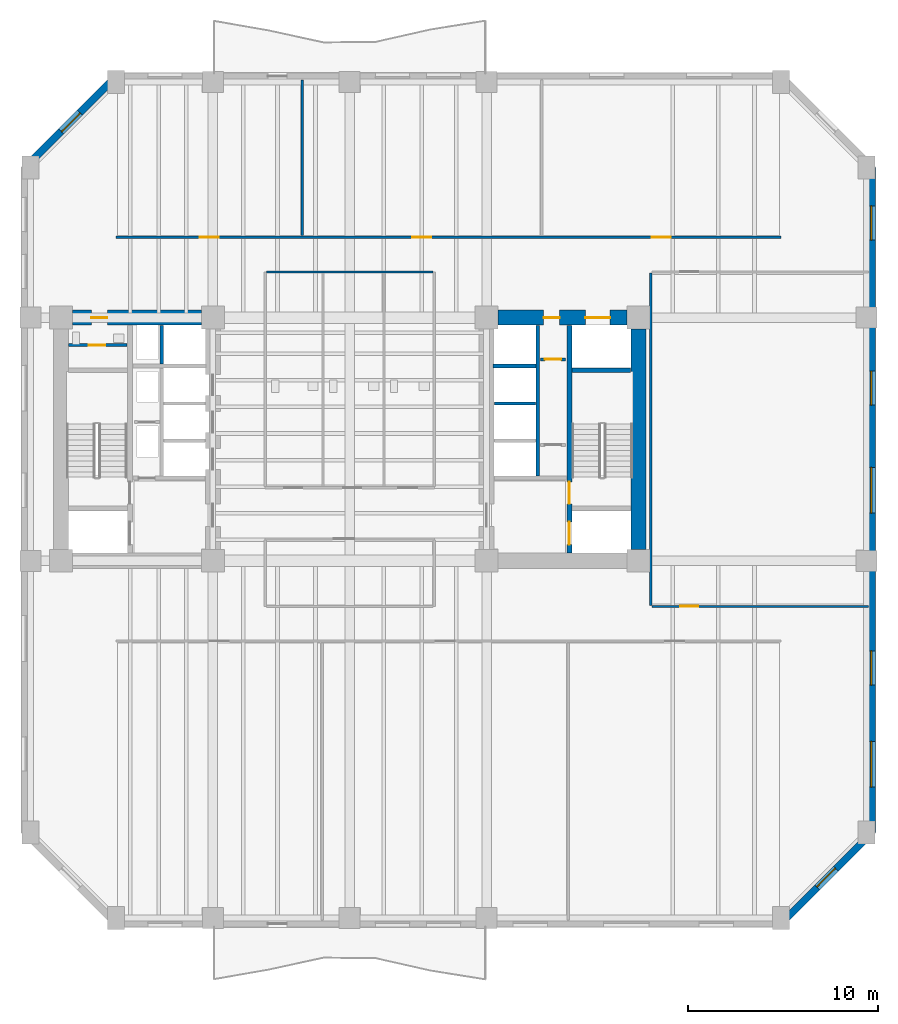
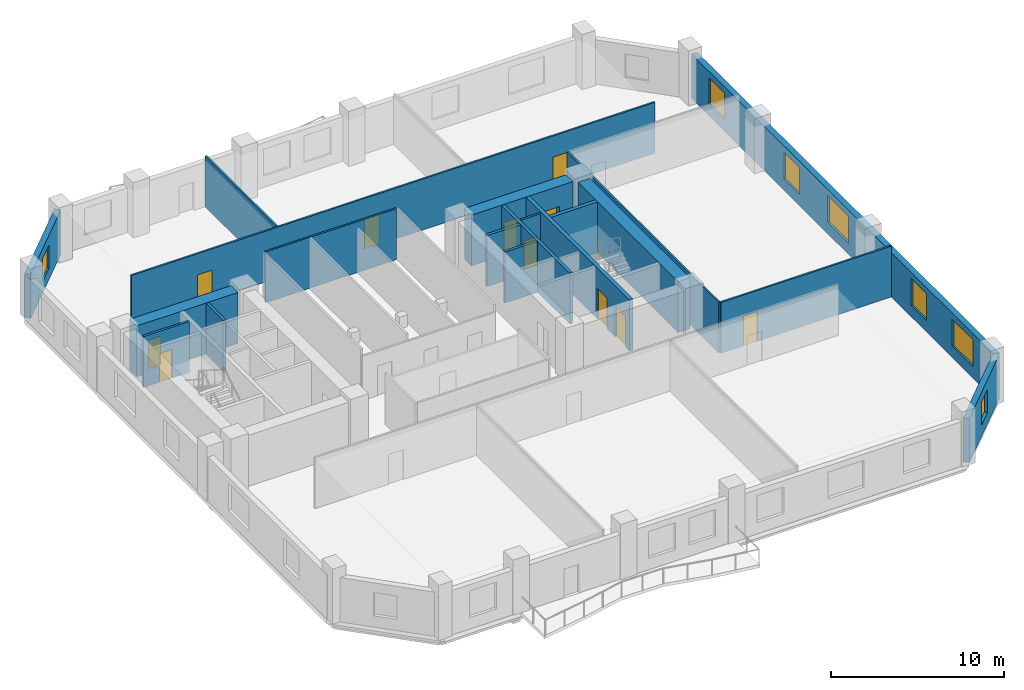
# One storey, part 4 of 9: 19 walls, 11 doors, 7 windows, 18 openings.
"""IFC4 building model written with IfcOpenShell, lengths in metres."""

from ifc_helpers import new_model, si_unit, direction, frame, frame_2d, origin, place, context, subcontext, project, spatial, rectangle, extrude, material, layer, layer_set, type_object, element, fill, save


model = new_model("IFC4")

# Units and contexts
model_context = context("Model", 3, precision=1e-05, world=origin(), true_north=direction((0.0, 1.0)))
body_context = subcontext(model_context, "Body", "Model", "MODEL_VIEW")
ifc_project = project(units=[si_unit("LENGTHUNIT", "METRE"), si_unit("AREAUNIT", "SQUARE_METRE"), si_unit("VOLUMEUNIT", "CUBIC_METRE"), si_unit("PLANEANGLEUNIT", "RADIAN"), si_unit("MASSUNIT", "GRAM", prefix="KILO")], contexts=[model_context])

# Site, building, storey
site_placement = place(None, origin())
site = spatial("IfcSite", under=ifc_project, at=site_placement, CompositionType="ELEMENT")
building_placement = place(site_placement, origin())
building = spatial("IfcBuilding", under=site, at=building_placement, Name="Kranthara Brick Stack", CompositionType="ELEMENT")
storey_placement = place(building_placement, frame((0.0, 0.0, 51.60009765625)))
storey = spatial("IfcBuildingStorey", under=building, at=storey_placement, Name="L12", CompositionType="ELEMENT", Elevation=51.60009765625)

# Wall, opening, window
ifc_material_1 = material(Name="Kiln-fired clay brick masonry M15", Category="masonry")
ifc_layer_1 = layer(ifc_material_1, 0.3798828125)
ifc_layer_set_1 = layer_set([ifc_layer_1], Name="Kiln-fired clay brick masonry M15")
wall_type_1 = type_object("IfcWallType", Name="WL-BRK-PIER-380", PredefinedType="STANDARD", material=ifc_layer_set_1)
wall_1_placement = place(storey_placement, frame((10.909912109375, 41.5, 0.0), z_axis=(0.0, 0.0, 1.0), x_axis=(0.707106781187, 0.707106781187, 0.0)))
wall_1 = element("IfcWall", 1, at=wall_1_placement, inside=storey, type_object=wall_type_1, Name="L12 Exterior Brick Facade Wall NW 1", PredefinedType="STANDARD", context=body_context, shape_type="SweptSolid", body=[
    extrude(rectangle(XDim=6.774169921875, YDim=0.3798828125, at=frame_2d((3.38720703125, 0.0))), origin(), (0.0, 0.0, 1.0), 3.135009765625),
])
opening_1_placement = place(wall_1_placement, frame((2.68701171875, 0.0, 0.800048828125)))
opening_1 = element("IfcOpeningElement", 2, at=opening_1_placement, cuts=wall_1, Name="Opening WN10", PredefinedType="OPENING", context=body_context, shape_type="SweptSolid", body=[
    extrude(rectangle(XDim=1.39990234375, YDim=1.64990234375, at=frame_2d((0.699951171875, 0.824951171875))), frame((0.0, 0.199951171875, 0.0), z_axis=(0.0, -1.0, 0.0), x_axis=(1.0, 0.0, 0.0)), (0.0, 0.0, 1.0), 0.39990234375),
])
ifc_material_2 = material(Name="Double-glazed low-E solar control glass", Category="glass")
window_type_1 = type_object("IfcWindowType", Name="WN-CHM-1400x1750", PartitioningType="SINGLE_PANEL", PredefinedType="WINDOW", material=ifc_material_2)
window_1_placement = place(opening_1_placement, origin())
window_1 = element("IfcWindow", 3, at=window_1_placement, inside=storey, type_object=window_type_1, Name="L12 NW Chamfer Corner Window", OverallHeight=1.64990234375, OverallWidth=1.39990234375, PartitioningType="SINGLE_PANEL", PredefinedType="WINDOW", context=body_context, shape_type="SweptSolid", body=[
    extrude(rectangle(XDim=1.39990234375, YDim=1.64990234375, at=frame_2d((0.699951171875, 0.824951171875))), frame((0.0, -0.010009765625, 0.0), z_axis=(0.0, -1.0, 0.0), x_axis=(1.0, 0.0, 0.0)), (0.0, 0.0, 1.0), 0.06005859375),
])
fill(opening_1, window_1)

# Wall, openings, windows
wall_2_placement = place(storey_placement, frame((55.489990234375, 41.5, 0.0), z_axis=(0.0, 0.0, 1.0), x_axis=(0.0, -1.0, 0.0)))
wall_2 = element("IfcWall", 4, at=wall_2_placement, inside=storey, type_object=wall_type_1, Name="L12 Exterior Brick Facade Wall EAST 1", PredefinedType="STANDARD", context=body_context, shape_type="SweptSolid", body=[
    extrude(rectangle(XDim=35.0, YDim=0.3798828125, at=frame_2d((17.5, 0.0))), origin(), (0.0, 0.0, 1.0), 3.135009765625),
])
opening_2_placement = place(wall_2_placement, frame((2.02490234375, 0.0, 0.800048828125)))
opening_2 = element("IfcOpeningElement", 5, at=opening_2_placement, cuts=wall_2, Name="Opening WN01", PredefinedType="OPENING", context=body_context, shape_type="SweptSolid", body=[
    extrude(rectangle(XDim=1.800048828125, YDim=1.89990234375, at=frame_2d((0.89990234375, 0.949951171875))), frame((0.0, 0.199951171875, 0.0), z_axis=(0.0, -1.0, 0.0), x_axis=(1.0, 0.0, 0.0)), (0.0, 0.0, 1.0), 0.39990234375),
])
opening_3_placement = place(wall_2_placement, frame((10.7119140625, 0.0, 0.800048828125)))
opening_3 = element("IfcOpeningElement", 6, at=opening_3_placement, cuts=wall_2, Name="Opening WN01", PredefinedType="OPENING", context=body_context, shape_type="SweptSolid", body=[
    extrude(rectangle(XDim=1.800048828125, YDim=1.89990234375, at=frame_2d((0.89990234375, 0.949951171875))), frame((0.0, 0.199951171875, 0.0), z_axis=(0.0, -1.0, 0.0), x_axis=(1.0, 0.0, 0.0)), (0.0, 0.0, 1.0), 0.39990234375),
])
opening_4_placement = place(wall_2_placement, frame((15.7880859375, 0.0, 0.800048828125)))
opening_4 = element("IfcOpeningElement", 7, at=opening_4_placement, cuts=wall_2, Name="Opening WN02", PredefinedType="OPENING", context=body_context, shape_type="SweptSolid", body=[
    extrude(rectangle(XDim=2.39990234375, YDim=1.89990234375, at=frame_2d((1.199951171875, 0.949951171875))), frame((0.0, 0.199951171875, 0.0), z_axis=(0.0, -1.0, 0.0), x_axis=(1.0, 0.0, 0.0)), (0.0, 0.0, 1.0), 0.39990234375),
])
opening_5_placement = place(wall_2_placement, frame((25.443115234375, 0.0, 0.800048828125)))
opening_5 = element("IfcOpeningElement", 8, at=opening_5_placement, cuts=wall_2, Name="Opening WN01", PredefinedType="OPENING", context=body_context, shape_type="SweptSolid", body=[
    extrude(rectangle(XDim=1.800048828125, YDim=1.89990234375, at=frame_2d((0.89990234375, 0.949951171875))), frame((0.0, 0.199951171875, 0.0), z_axis=(0.0, -1.0, 0.0), x_axis=(1.0, 0.0, 0.0)), (0.0, 0.0, 1.0), 0.39990234375),
])
opening_6_placement = place(wall_2_placement, frame((30.20703125, 0.0, 0.800048828125)))
opening_6 = element("IfcOpeningElement", 9, at=opening_6_placement, cuts=wall_2, Name="Opening WN02", PredefinedType="OPENING", context=body_context, shape_type="SweptSolid", body=[
    extrude(rectangle(XDim=2.39990234375, YDim=1.89990234375, at=frame_2d((1.199951171875, 0.949951171875))), frame((0.0, 0.199951171875, 0.0), z_axis=(0.0, -1.0, 0.0), x_axis=(1.0, 0.0, 0.0)), (0.0, 0.0, 1.0), 0.39990234375),
])
ifc_material_3 = material(Name="Double-glazed low-E solar control glass", Category="glass")
window_type_2 = type_object("IfcWindowType", Name="WN-OFF-1800x2000", PartitioningType="SINGLE_PANEL", PredefinedType="WINDOW", material=ifc_material_3)
window_2_placement = place(opening_2_placement, origin())
window_2 = element("IfcWindow", 10, at=window_2_placement, inside=storey, type_object=window_type_2, Name="L12 East Deep-Set Brick Window 01", OverallHeight=1.89990234375, OverallWidth=1.800048828125, PartitioningType="SINGLE_PANEL", PredefinedType="WINDOW", context=body_context, shape_type="SweptSolid", body=[
    extrude(rectangle(XDim=1.800048828125, YDim=1.89990234375, at=frame_2d((0.89990234375, 0.949951171875))), frame((0.0, -0.010009765625, 0.0), z_axis=(0.0, -1.0, 0.0), x_axis=(1.0, 0.0, 0.0)), (0.0, 0.0, 1.0), 0.06005859375),
])
fill(opening_2, window_2)
window_3_placement = place(opening_3_placement, origin())
window_3 = element("IfcWindow", 11, at=window_3_placement, inside=storey, type_object=window_type_2, Name="L12 East Deep-Set Brick Window 02", OverallHeight=1.89990234375, OverallWidth=1.800048828125, PartitioningType="SINGLE_PANEL", PredefinedType="WINDOW", context=body_context, shape_type="SweptSolid", body=[
    extrude(rectangle(XDim=1.800048828125, YDim=1.89990234375, at=frame_2d((0.89990234375, 0.949951171875))), frame((0.0, -0.010009765625, 0.0), z_axis=(0.0, -1.0, 0.0), x_axis=(1.0, 0.0, 0.0)), (0.0, 0.0, 1.0), 0.06005859375),
])
fill(opening_3, window_3)
window_4_placement = place(opening_5_placement, origin())
window_4 = element("IfcWindow", 12, at=window_4_placement, inside=storey, type_object=window_type_2, Name="L12 East Deep-Set Brick Window 04", OverallHeight=1.89990234375, OverallWidth=1.800048828125, PartitioningType="SINGLE_PANEL", PredefinedType="WINDOW", context=body_context, shape_type="SweptSolid", body=[
    extrude(rectangle(XDim=1.800048828125, YDim=1.89990234375, at=frame_2d((0.89990234375, 0.949951171875))), frame((0.0, -0.010009765625, 0.0), z_axis=(0.0, -1.0, 0.0), x_axis=(1.0, 0.0, 0.0)), (0.0, 0.0, 1.0), 0.06005859375),
])
fill(opening_5, window_4)
ifc_material_4 = material(Name="Double-glazed low-E solar control glass", Category="glass")
window_type_3 = type_object("IfcWindowType", Name="WN-OFF-2400x2000", PartitioningType="DOUBLE_PANEL_VERTICAL", PredefinedType="WINDOW", material=ifc_material_4)
window_5_placement = place(opening_4_placement, origin())
window_5 = element("IfcWindow", 13, at=window_5_placement, inside=storey, type_object=window_type_3, Name="L12 East Deep-Set Brick Window 03", OverallHeight=1.89990234375, OverallWidth=2.39990234375, PartitioningType="SINGLE_PANEL", PredefinedType="WINDOW", context=body_context, shape_type="SweptSolid", body=[
    extrude(rectangle(XDim=2.39990234375, YDim=1.89990234375, at=frame_2d((1.199951171875, 0.949951171875))), frame((0.0, -0.010009765625, 0.0), z_axis=(0.0, -1.0, 0.0), x_axis=(1.0, 0.0, 0.0)), (0.0, 0.0, 1.0), 0.06005859375),
])
fill(opening_4, window_5)
window_6_placement = place(opening_6_placement, origin())
window_6 = element("IfcWindow", 14, at=window_6_placement, inside=storey, type_object=window_type_3, Name="L12 East Deep-Set Brick Window 05", OverallHeight=1.89990234375, OverallWidth=2.39990234375, PartitioningType="SINGLE_PANEL", PredefinedType="WINDOW", context=body_context, shape_type="SweptSolid", body=[
    extrude(rectangle(XDim=2.39990234375, YDim=1.89990234375, at=frame_2d((1.199951171875, 0.949951171875))), frame((0.0, -0.010009765625, 0.0), z_axis=(0.0, -1.0, 0.0), x_axis=(1.0, 0.0, 0.0)), (0.0, 0.0, 1.0), 0.06005859375),
])
fill(opening_6, window_6)

# Wall, opening, window
wall_3_placement = place(storey_placement, frame((55.489990234375, 6.5, 0.0), z_axis=(0.0, 0.0, 1.0), x_axis=(-0.707106781187, -0.707106781187, 0.0)))
wall_3 = element("IfcWall", 15, at=wall_3_placement, inside=storey, type_object=wall_type_1, Name="L12 Exterior Brick Facade Wall SE 1", PredefinedType="STANDARD", context=body_context, shape_type="SweptSolid", body=[
    extrude(rectangle(XDim=6.774169921875, YDim=0.3798828125, at=frame_2d((3.38720703125, 0.0))), origin(), (0.0, 0.0, 1.0), 3.135009765625),
])
opening_7_placement = place(wall_3_placement, frame((2.68701171875, 0.0, 0.800048828125)))
opening_7 = element("IfcOpeningElement", 16, at=opening_7_placement, cuts=wall_3, Name="Opening WN10", PredefinedType="OPENING", context=body_context, shape_type="SweptSolid", body=[
    extrude(rectangle(XDim=1.39990234375, YDim=1.64990234375, at=frame_2d((0.699951171875, 0.824951171875))), frame((0.0, 0.199951171875, 0.0), z_axis=(0.0, -1.0, 0.0), x_axis=(1.0, 0.0, 0.0)), (0.0, 0.0, 1.0), 0.39990234375),
])
window_7_placement = place(opening_7_placement, origin())
window_7 = element("IfcWindow", 17, at=window_7_placement, inside=storey, type_object=window_type_1, Name="L12 SE Chamfer Corner Window", OverallHeight=1.64990234375, OverallWidth=1.39990234375, PartitioningType="SINGLE_PANEL", PredefinedType="WINDOW", context=body_context, shape_type="SweptSolid", body=[
    extrude(rectangle(XDim=1.39990234375, YDim=1.64990234375, at=frame_2d((0.699951171875, 0.824951171875))), frame((0.0, -0.010009765625, 0.0), z_axis=(0.0, -1.0, 0.0), x_axis=(1.0, 0.0, 0.0)), (0.0, 0.0, 1.0), 0.06005859375),
])
fill(opening_7, window_7)

# Wall, openings, doors
ifc_material_5 = material(Name="Concrete C50/60", Category="concrete")
ifc_layer_2 = layer(ifc_material_5, 0.25)
ifc_layer_set_2 = layer_set([ifc_layer_2], Name="Concrete C50/60")
wall_type_2 = type_object("IfcWallType", Name="WL-CORE-250", PredefinedType="SHEAR", material=ifc_layer_set_2)
wall_4_placement = place(storey_placement, frame((39.56494140625, 21.2099609375, 0.0), z_axis=(0.0, 0.0, 1.0), x_axis=(0.0, 1.0, 0.0)))
wall_4 = element("IfcWall", 18, at=wall_4_placement, inside=storey, type_object=wall_type_2, Name="L12 East Core Stair Bearing Spine Wall", PredefinedType="SHEAR", context=body_context, shape_type="SweptSolid", body=[
    extrude(rectangle(XDim=11.97998046875, YDim=0.25, at=frame_2d((5.989990234375, 0.0))), origin(), (0.0, 0.0, 1.0), 3.599853515625),
])
opening_8_placement = place(wall_4_placement, frame((0.43994140625, 0.0, 0.0)))
opening_8 = element("IfcOpeningElement", 19, at=opening_8_placement, cuts=wall_4, Name="Opening LD01", PredefinedType="OPENING", context=body_context, shape_type="SweptSolid", body=[
    extrude(rectangle(XDim=1.199951171875, YDim=2.14990234375, at=frame_2d((0.60009765625, 1.074951171875))), frame((0.0, 0.135009765625, 0.0), z_axis=(0.0, -1.0, 0.0), x_axis=(1.0, 0.0, 0.0)), (0.0, 0.0, 1.0), 0.27001953125),
])
opening_9_placement = place(wall_4_placement, frame((2.590087890625, 0.0, 0.0)))
opening_9 = element("IfcOpeningElement", 20, at=opening_9_placement, cuts=wall_4, Name="Opening D05", PredefinedType="OPENING", context=body_context, shape_type="SweptSolid", body=[
    extrude(rectangle(XDim=1.14990234375, YDim=2.14990234375, at=frame_2d((0.574951171875, 1.074951171875))), frame((0.0, 0.135009765625, 0.0), z_axis=(0.0, -1.0, 0.0), x_axis=(1.0, 0.0, 0.0)), (0.0, 0.0, 1.0), 0.27001953125),
])
ifc_material_6 = material(Name="Stainless steel sliding landing door", Category="steel")
door_type_1 = type_object("IfcDoorType", Name="DR-LD-FF1200", OperationType="DOUBLE_DOOR_SLIDING", PredefinedType="DOOR", material=ifc_material_6)
door_1_placement = place(opening_8_placement, origin())
door_1 = element("IfcDoor", 21, at=door_1_placement, inside=storey, type_object=door_type_1, Name="L12 Firefighting Lift FF-02 Landing Door", OperationType="DOUBLE_DOOR_SLIDING", OverallHeight=2.14990234375, OverallWidth=1.199951171875, PredefinedType="DOOR", context=body_context, shape_type="SweptSolid", body=[
    extrude(rectangle(XDim=1.199951171875, YDim=2.14990234375, at=frame_2d((0.60009765625, 1.074951171875))), frame((0.0, 0.02490234375, 0.0), z_axis=(0.0, -1.0, 0.0), x_axis=(1.0, 0.0, 0.0)), (0.0, 0.0, 1.0), 0.050048828125),
])
fill(opening_8, door_1)
ifc_material_7 = material(Name="Solid-core hardwood timber leaf in steel frame", Category="steel")
door_type_2 = type_object("IfcDoorType", Name="DR-ST-1150", OperationType="NOTDEFINED", PredefinedType="DOOR", material=ifc_material_7)
door_2_placement = place(opening_9_placement, origin())
door_2 = element("IfcDoor", 22, at=door_2_placement, inside=storey, type_object=door_type_2, Name="L12 Exit Stair ST02 Door", OperationType="SINGLE_SWING_LEFT", OverallHeight=2.14990234375, OverallWidth=1.14990234375, PredefinedType="DOOR", context=body_context, shape_type="SweptSolid", body=[
    extrude(rectangle(XDim=1.14990234375, YDim=2.14990234375, at=frame_2d((0.574951171875, 1.074951171875))), frame((0.0, 0.02490234375, 0.0), z_axis=(0.0, -1.0, 0.0), x_axis=(1.0, 0.0, 0.0)), (0.0, 0.0, 1.0), 0.050048828125),
])
fill(opening_9, door_2)

# Wall
wall_5_placement = place(storey_placement, frame((39.68994140625, 30.830078125, 0.0), z_axis=(0.0, 0.0, 1.0), x_axis=(1.0, 0.0, 0.0)))
element("IfcWall", 23, at=wall_5_placement, inside=storey, type_object=wall_type_2, Name="L12 East Stairwell Bearing Wall EST", PredefinedType="SHEAR", context=body_context, shape_type="SweptSolid", body=[
    extrude(rectangle(XDim=3.10009765625, YDim=0.25, at=frame_2d((1.550048828125, 0.0))), origin(), (0.0, 0.0, 1.0), 3.599853515625),
])

# Wall, opening, door
ifc_material_8 = material(Name="Concrete C70/85", Category="concrete")
ifc_layer_3 = layer(ifc_material_8, 0.800048828125)
ifc_layer_set_3 = layer_set([ifc_layer_3], Name="Concrete C70/85")
wall_type_3 = type_object("IfcWallType", Name="WL-CORE-800", PredefinedType="SHEAR", material=ifc_layer_set_3)
wall_6_placement = place(storey_placement, frame((13.405029296875, 33.60009765625, 0.0), z_axis=(0.0, 0.0, 1.0), x_axis=(1.0, 0.0, 0.0)))
wall_6 = element("IfcWall", 24, at=wall_6_placement, inside=storey, type_object=wall_type_3, Name="L12 West Core Shear Wall North", PredefinedType="SHEAR", context=body_context, shape_type="SweptSolid", body=[
    extrude(rectangle(XDim=6.7900390625, YDim=0.800048828125, at=frame_2d((3.39501953125, 0.0))), origin(), (0.0, 0.0, 1.0), 3.599853515625),
])
opening_10_placement = place(wall_6_placement, frame((0.9951171875, 0.0, 0.0)))
opening_10 = element("IfcOpeningElement", 25, at=opening_10_placement, cuts=wall_6, Name="Opening D10", PredefinedType="OPENING", context=body_context, shape_type="SweptSolid", body=[
    extrude(rectangle(XDim=0.85009765625, YDim=2.02001953125, at=frame_2d((0.425048828125, 1.010009765625))), frame((0.0, 0.409912109375, 0.0), z_axis=(0.0, -1.0, 0.0), x_axis=(1.0, 0.0, 0.0)), (0.0, 0.0, 1.0), 0.820068359375),
])
ifc_material_9 = material(Name="Solid-core hardwood timber leaf in steel frame", Category="steel")
door_type_3 = type_object("IfcDoorType", Name="DR-RSR-850", OperationType="NOTDEFINED", PredefinedType="DOOR", material=ifc_material_9)
door_3_placement = place(opening_10_placement, origin())
door_3 = element("IfcDoor", 26, at=door_3_placement, inside=storey, type_object=door_type_3, Name="L12 West Core Service Door 1", OperationType="SINGLE_SWING_LEFT", OverallHeight=2.02001953125, OverallWidth=0.85009765625, PredefinedType="DOOR", context=body_context, shape_type="SweptSolid", body=[
    extrude(rectangle(XDim=0.85009765625, YDim=2.02001953125, at=frame_2d((0.425048828125, 1.010009765625))), frame((0.0, 0.02490234375, 0.0), z_axis=(0.0, -1.0, 0.0), x_axis=(1.0, 0.0, 0.0)), (0.0, 0.0, 1.0), 0.050048828125),
])
fill(opening_10, door_3)

# Wall
wall_7_placement = place(storey_placement, frame((43.199951171875, 21.405029296875, 0.0), z_axis=(0.0, 0.0, 1.0), x_axis=(0.0, 1.0, 0.0)))
element("IfcWall", 27, at=wall_7_placement, inside=storey, type_object=wall_type_3, Name="L12 East Core Shear Wall East", PredefinedType="SHEAR", context=body_context, shape_type="SweptSolid", body=[
    extrude(rectangle(XDim=11.590087890625, YDim=0.800048828125, at=frame_2d((5.794921875, 0.0))), origin(), (0.0, 0.0, 1.0), 3.599853515625),
])

# Wall, openings, doors
wall_8_placement = place(storey_placement, frame((35.804931640625, 33.60009765625, 0.0), z_axis=(0.0, 0.0, 1.0), x_axis=(1.0, 0.0, 0.0)))
wall_8 = element("IfcWall", 28, at=wall_8_placement, inside=storey, type_object=wall_type_3, Name="L12 East Core Shear Wall North", PredefinedType="SHEAR", context=body_context, shape_type="SweptSolid", body=[
    extrude(rectangle(XDim=6.7900390625, YDim=0.800048828125, at=frame_2d((3.39501953125, 0.0))), origin(), (0.0, 0.0, 1.0), 3.599853515625),
])
opening_11_placement = place(wall_8_placement, frame((4.594970703125, 0.0, 0.0)))
opening_11 = element("IfcOpeningElement", 29, at=opening_11_placement, cuts=wall_8, Name="Opening LD03", PredefinedType="OPENING", context=body_context, shape_type="SweptSolid", body=[
    extrude(rectangle(XDim=1.300048828125, YDim=2.14990234375, at=frame_2d((0.64990234375, 1.074951171875))), frame((0.0, 0.409912109375, 0.0), z_axis=(0.0, -1.0, 0.0), x_axis=(1.0, 0.0, 0.0)), (0.0, 0.0, 1.0), 0.820068359375),
])
opening_12_placement = place(wall_8_placement, frame((2.39501953125, 0.0, 0.0)))
opening_12 = element("IfcOpeningElement", 30, at=opening_12_placement, cuts=wall_8, Name="Opening D10", PredefinedType="OPENING", context=body_context, shape_type="SweptSolid", body=[
    extrude(rectangle(XDim=0.85009765625, YDim=2.02001953125, at=frame_2d((0.425048828125, 1.010009765625))), frame((0.0, 0.409912109375, 0.0), z_axis=(0.0, -1.0, 0.0), x_axis=(1.0, 0.0, 0.0)), (0.0, 0.0, 1.0), 0.820068359375),
])
ifc_material_10 = material(Name="Stainless steel sliding landing door", Category="steel")
door_type_4 = type_object("IfcDoorType", Name="DR-LD-SV1300", OperationType="DOUBLE_DOOR_SLIDING", PredefinedType="DOOR", material=ifc_material_10)
door_4_placement = place(opening_11_placement, origin())
door_4 = element("IfcDoor", 31, at=door_4_placement, inside=storey, type_object=door_type_4, Name="L12 Stretcher Service Lift SV-01 Landing Door", OperationType="DOUBLE_DOOR_SLIDING", OverallHeight=2.14990234375, OverallWidth=1.300048828125, PredefinedType="DOOR", context=body_context, shape_type="SweptSolid", body=[
    extrude(rectangle(XDim=1.300048828125, YDim=2.14990234375, at=frame_2d((0.64990234375, 1.074951171875))), frame((0.0, 0.02490234375, 0.0), z_axis=(0.0, -1.0, 0.0), x_axis=(1.0, 0.0, 0.0)), (0.0, 0.0, 1.0), 0.050048828125),
])
fill(opening_11, door_4)
door_5_placement = place(opening_12_placement, origin())
door_5 = element("IfcDoor", 32, at=door_5_placement, inside=storey, type_object=door_type_3, Name="L12 East Core Service Room Door", OperationType="SINGLE_SWING_LEFT", OverallHeight=2.02001953125, OverallWidth=0.85009765625, PredefinedType="DOOR", context=body_context, shape_type="SweptSolid", body=[
    extrude(rectangle(XDim=0.85009765625, YDim=2.02001953125, at=frame_2d((0.425048828125, 1.010009765625))), frame((0.0, 0.02490234375, 0.0), z_axis=(0.0, -1.0, 0.0), x_axis=(1.0, 0.0, 0.0)), (0.0, 0.0, 1.0), 0.050048828125),
])
fill(opening_12, door_5)

# Wall
ifc_material_11 = material(Name="Acoustic gypsum plasterboard partition", Category="other")
ifc_layer_4 = layer(ifc_material_11, 0.1201171875)
ifc_layer_set_4 = layer_set([ifc_layer_4], Name="Acoustic gypsum plasterboard partition")
wall_type_4 = type_object("IfcWallType", Name="WL-PART-120", PredefinedType="PARTITIONING", material=ifc_layer_set_4)
wall_9_placement = place(storey_placement, frame((23.614990234375, 36.0, 0.0), z_axis=(0.0, 0.0, 1.0), x_axis=(1.0, 0.0, 0.0)))
element("IfcWall", 33, at=wall_9_placement, inside=storey, type_object=wall_type_4, Name="L12 Interior Partition 010", PredefinedType="PARTITIONING", context=body_context, shape_type="SweptSolid", body=[
    extrude(rectangle(XDim=8.77001953125, YDim=0.1201171875, at=frame_2d((4.385009765625, 0.0))), origin(), (0.0, 0.0, 1.0), 3.599853515625),
])

# Wall, openings, doors
wall_10_placement = place(storey_placement, frame((15.699951171875, 37.820068359375, 0.0), z_axis=(0.0, 0.0, 1.0), x_axis=(1.0, 0.0, 0.0)))
wall_10 = element("IfcWall", 34, at=wall_10_placement, inside=storey, type_object=wall_type_4, Name="L12 Interior Partition 018", PredefinedType="PARTITIONING", context=body_context, shape_type="SweptSolid", body=[
    extrude(rectangle(XDim=35.0, YDim=0.1201171875, at=frame_2d((17.5, 0.0))), origin(), (0.0, 0.0, 1.0), 3.599853515625),
])
opening_13_placement = place(wall_10_placement, frame((4.39990234375, 0.0, 0.0)))
opening_13 = element("IfcOpeningElement", 35, at=opening_13_placement, cuts=wall_10, Name="Opening D13", PredefinedType="OPENING", context=body_context, shape_type="SweptSolid", body=[
    extrude(rectangle(XDim=1.0, YDim=2.10009765625, at=frame_2d((0.5, 1.050048828125))), frame((0.0, 0.070068359375, 0.0), z_axis=(0.0, -1.0, 0.0), x_axis=(1.0, 0.0, 0.0)), (0.0, 0.0, 1.0), 0.14013671875),
])
opening_14_placement = place(wall_10_placement, frame((15.60009765625, 0.0, 0.0)))
opening_14 = element("IfcOpeningElement", 36, at=opening_14_placement, cuts=wall_10, Name="Opening D13", PredefinedType="OPENING", context=body_context, shape_type="SweptSolid", body=[
    extrude(rectangle(XDim=1.0, YDim=2.10009765625, at=frame_2d((0.5, 1.050048828125))), frame((0.0, 0.070068359375, 0.0), z_axis=(0.0, -1.0, 0.0), x_axis=(1.0, 0.0, 0.0)), (0.0, 0.0, 1.0), 0.14013671875),
])
opening_15_placement = place(wall_10_placement, frame((28.199951171875, 0.0, 0.0)))
opening_15 = element("IfcOpeningElement", 37, at=opening_15_placement, cuts=wall_10, Name="Opening D13", PredefinedType="OPENING", context=body_context, shape_type="SweptSolid", body=[
    extrude(rectangle(XDim=1.0, YDim=2.10009765625, at=frame_2d((0.5, 1.050048828125))), frame((0.0, 0.070068359375, 0.0), z_axis=(0.0, -1.0, 0.0), x_axis=(1.0, 0.0, 0.0)), (0.0, 0.0, 1.0), 0.14013671875),
])
ifc_material_12 = material(Name="Solid-core hardwood timber leaf in steel frame", Category="steel")
door_type_5 = type_object("IfcDoorType", Name="DR-INT-1000", OperationType="NOTDEFINED", PredefinedType="DOOR", material=ifc_material_12)
door_6_placement = place(opening_13_placement, origin())
door_6 = element("IfcDoor", 38, at=door_6_placement, inside=storey, type_object=door_type_5, Name="L12 Open Plan Workspace 12", OperationType="SINGLE_SWING_RIGHT", OverallHeight=2.10009765625, OverallWidth=1.0, PredefinedType="DOOR", context=body_context, shape_type="SweptSolid", body=[
    extrude(rectangle(XDim=1.0, YDim=2.10009765625, at=frame_2d((0.5, 1.050048828125))), frame((0.0, 0.02490234375, 0.0), z_axis=(0.0, -1.0, 0.0), x_axis=(1.0, 0.0, 0.0)), (0.0, 0.0, 1.0), 0.050048828125),
])
fill(opening_13, door_6)
door_7_placement = place(opening_14_placement, origin())
door_7 = element("IfcDoor", 39, at=door_7_placement, inside=storey, type_object=door_type_5, Name="L12 Collaboration Lounge 13", OperationType="SINGLE_SWING_LEFT", OverallHeight=2.10009765625, OverallWidth=1.0, PredefinedType="DOOR", context=body_context, shape_type="SweptSolid", body=[
    extrude(rectangle(XDim=1.0, YDim=2.10009765625, at=frame_2d((0.5, 1.050048828125))), frame((0.0, 0.02490234375, 0.0), z_axis=(0.0, -1.0, 0.0), x_axis=(1.0, 0.0, 0.0)), (0.0, 0.0, 1.0), 0.050048828125),
])
fill(opening_14, door_7)
door_8_placement = place(opening_15_placement, origin())
door_8 = element("IfcDoor", 40, at=door_8_placement, inside=storey, type_object=door_type_5, Name="L12 Client Briefing Suite 14", OperationType="SINGLE_SWING_RIGHT", OverallHeight=2.10009765625, OverallWidth=1.0, PredefinedType="DOOR", context=body_context, shape_type="SweptSolid", body=[
    extrude(rectangle(XDim=1.0, YDim=2.10009765625, at=frame_2d((0.5, 1.050048828125))), frame((0.0, 0.02490234375, 0.0), z_axis=(0.0, -1.0, 0.0), x_axis=(1.0, 0.0, 0.0)), (0.0, 0.0, 1.0), 0.050048828125),
])
fill(opening_15, door_8)

# Walls
wall_11_placement = place(storey_placement, frame((25.5, 37.919921875, 0.0), z_axis=(0.0, 0.0, 1.0), x_axis=(0.0, 1.0, 0.0)))
element("IfcWall", 41, at=wall_11_placement, inside=storey, type_object=wall_type_4, Name="L12 Interior Partition 019", PredefinedType="PARTITIONING", context=body_context, shape_type="SweptSolid", body=[
    extrude(rectangle(XDim=8.175048828125, YDim=0.1201171875, at=frame_2d((4.08740234375, 0.0))), origin(), (0.0, 0.0, 1.0), 3.599853515625),
])
wall_12_placement = place(storey_placement, frame((43.85009765625, 18.449951171875, 0.0), z_axis=(0.0, 0.0, 1.0), x_axis=(0.0, 1.0, 0.0)))
element("IfcWall", 42, at=wall_12_placement, inside=storey, type_object=wall_type_4, Name="L12 Interior Partition 021", PredefinedType="PARTITIONING", context=body_context, shape_type="SweptSolid", body=[
    extrude(rectangle(XDim=17.5, YDim=0.1201171875, at=frame_2d((8.75, 0.0))), origin(), (0.0, 0.0, 1.0), 3.599853515625),
])

# Wall, opening, door
wall_13_placement = place(storey_placement, frame((43.9150390625, 18.39990234375, 0.0), z_axis=(0.0, 0.0, 1.0), x_axis=(1.0, 0.0, 0.0)))
wall_13 = element("IfcWall", 43, at=wall_13_placement, inside=storey, type_object=wall_type_4, Name="L12 Interior Partition 022", PredefinedType="PARTITIONING", context=body_context, shape_type="SweptSolid", body=[
    extrude(rectangle(XDim=11.3798828125, YDim=0.1201171875, at=frame_2d((5.68994140625, 0.0))), origin(), (0.0, 0.0, 1.0), 3.599853515625),
])
opening_16_placement = place(wall_13_placement, frame((1.485107421875, 0.0, 0.0)))
opening_16 = element("IfcOpeningElement", 44, at=opening_16_placement, cuts=wall_13, Name="Opening D14", PredefinedType="OPENING", context=body_context, shape_type="SweptSolid", body=[
    extrude(rectangle(XDim=0.949951171875, YDim=2.10009765625, at=frame_2d((0.47509765625, 1.050048828125))), frame((0.0, 0.070068359375, 0.0), z_axis=(0.0, -1.0, 0.0), x_axis=(1.0, 0.0, 0.0)), (0.0, 0.0, 1.0), 0.14013671875),
])
ifc_material_13 = material(Name="Solid-core hardwood timber leaf in steel frame", Category="steel")
door_type_6 = type_object("IfcDoorType", Name="DR-INT-950", OperationType="NOTDEFINED", PredefinedType="DOOR", material=ifc_material_13)
door_9_placement = place(opening_16_placement, origin())
door_9 = element("IfcDoor", 45, at=door_9_placement, inside=storey, type_object=door_type_6, Name="L12 East South Office 15", OperationType="SINGLE_SWING_LEFT", OverallHeight=2.10009765625, OverallWidth=0.949951171875, PredefinedType="DOOR", context=body_context, shape_type="SweptSolid", body=[
    extrude(rectangle(XDim=0.949951171875, YDim=2.10009765625, at=frame_2d((0.47509765625, 1.050048828125))), frame((0.0, 0.02490234375, 0.0), z_axis=(0.0, -1.0, 0.0), x_axis=(1.0, 0.0, 0.0)), (0.0, 0.0, 1.0), 0.050048828125),
])
fill(opening_16, door_9)

ifc_material_14 = material(Name="Fire-rated gypsum board partition", Category="other")
ifc_layer_5 = layer(ifc_material_14, 0.14990234375)
ifc_layer_set_5 = layer_set([ifc_layer_5], Name="Fire-rated gypsum board partition")
wall_type_5 = type_object("IfcWallType", Name="WL-PART-150", PredefinedType="PARTITIONING", material=ifc_layer_set_5)
wall_14_placement = place(storey_placement, frame((13.205078125, 32.14990234375, 0.0), z_axis=(0.0, 0.0, 1.0), x_axis=(1.0, 0.0, 0.0)))
wall_14 = element("IfcWall", 46, at=wall_14_placement, inside=storey, type_object=wall_type_5, Name="L12 Interior Partition 001", PredefinedType="PARTITIONING", context=body_context, shape_type="SweptSolid", body=[
    extrude(rectangle(XDim=3.074951171875, YDim=0.14990234375, at=frame_2d((1.53759765625, 0.0))), origin(), (0.0, 0.0, 1.0), 3.599853515625),
])
opening_17_placement = place(wall_14_placement, frame((1.074951171875, 0.0, 0.0)))
opening_17 = element("IfcOpeningElement", 47, at=opening_17_placement, cuts=wall_14, Name="Opening D10", PredefinedType="OPENING", context=body_context, shape_type="SweptSolid", body=[
    extrude(rectangle(XDim=0.85009765625, YDim=2.02001953125, at=frame_2d((0.425048828125, 1.010009765625))), frame((0.0, 0.0849609375, 0.0), z_axis=(0.0, -1.0, 0.0), x_axis=(1.0, 0.0, 0.0)), (0.0, 0.0, 1.0), 0.169921875),
])
door_10_placement = place(opening_17_placement, origin())
door_10 = element("IfcDoor", 48, at=door_10_placement, inside=storey, type_object=door_type_3, Name="L12 West Inner Riser Door 01", OperationType="SINGLE_SWING_LEFT", OverallHeight=2.02001953125, OverallWidth=0.85009765625, PredefinedType="DOOR", context=body_context, shape_type="SweptSolid", body=[
    extrude(rectangle(XDim=0.85009765625, YDim=2.02001953125, at=frame_2d((0.425048828125, 1.010009765625))), frame((0.0, 0.02490234375, 0.0), z_axis=(0.0, -1.0, 0.0), x_axis=(1.0, 0.0, 0.0)), (0.0, 0.0, 1.0), 0.050048828125),
])
fill(opening_17, door_10)

wall_15_placement = place(storey_placement, frame((38.050048828125, 31.39990234375, 0.0), z_axis=(0.0, 0.0, 1.0), x_axis=(1.0, 0.0, 0.0)))
wall_15 = element("IfcWall", 49, at=wall_15_placement, inside=storey, type_object=wall_type_5, Name="L12 Interior Partition 003", PredefinedType="PARTITIONING", context=body_context, shape_type="SweptSolid", body=[
    extrude(rectangle(XDim=1.300048828125, YDim=0.14990234375, at=frame_2d((0.64990234375, 0.0))), origin(), (0.0, 0.0, 1.0), 3.599853515625),
])
opening_18_placement = place(wall_15_placement, frame((0.219970703125, 0.0, 0.0)))
opening_18 = element("IfcOpeningElement", 50, at=opening_18_placement, cuts=wall_15, Name="Opening D10", PredefinedType="OPENING", context=body_context, shape_type="SweptSolid", body=[
    extrude(rectangle(XDim=0.85009765625, YDim=2.02001953125, at=frame_2d((0.425048828125, 1.010009765625))), frame((0.0, 0.0849609375, 0.0), z_axis=(0.0, -1.0, 0.0), x_axis=(1.0, 0.0, 0.0)), (0.0, 0.0, 1.0), 0.169921875),
])
door_11_placement = place(opening_18_placement, origin())
door_11 = element("IfcDoor", 51, at=door_11_placement, inside=storey, type_object=door_type_3, Name="L12 East Switch Door 03", OperationType="SINGLE_SWING_LEFT", OverallHeight=2.02001953125, OverallWidth=0.85009765625, PredefinedType="DOOR", context=body_context, shape_type="SweptSolid", body=[
    extrude(rectangle(XDim=0.85009765625, YDim=2.02001953125, at=frame_2d((0.425048828125, 1.010009765625))), frame((0.0, 0.02490234375, 0.0), z_axis=(0.0, -1.0, 0.0), x_axis=(1.0, 0.0, 0.0)), (0.0, 0.0, 1.0), 0.050048828125),
])
fill(opening_18, door_11)

# Walls
ifc_material_15 = material(Name="Gypsum plasterboard on acoustic twin stud", Category="other")
ifc_layer_6 = layer(ifc_material_15, 0.179931640625)
ifc_layer_set_6 = layer_set([ifc_layer_6], Name="Gypsum plasterboard on acoustic twin stud")
wall_type_6 = type_object("IfcWallType", Name="WL-PART-180", PredefinedType="PARTITIONING", material=ifc_layer_set_6)
wall_16_placement = place(storey_placement, frame((18.1201171875, 31.169921875, 0.0), z_axis=(0.0, 0.0, 1.0), x_axis=(0.0, 1.0, 0.0)))
element("IfcWall", 52, at=wall_16_placement, inside=storey, type_object=wall_type_6, Name="L12 West Hoistway Wall WBK7", PredefinedType="PARTITIONING", context=body_context, shape_type="SweptSolid", body=[
    extrude(rectangle(XDim=2.02001953125, YDim=0.179931640625, at=frame_2d((1.010009765625, 0.0))), origin(), (0.0, 0.0, 1.0), 3.599853515625),
])
wall_17_placement = place(storey_placement, frame((35.610107421875, 29.080078125, 0.0), z_axis=(0.0, 0.0, 1.0), x_axis=(1.0, 0.0, 0.0)))
element("IfcWall", 53, at=wall_17_placement, inside=storey, type_object=wall_type_6, Name="L12 East Hoistway Wall EH2", PredefinedType="PARTITIONING", context=body_context, shape_type="SweptSolid", body=[
    extrude(rectangle(XDim=2.169921875, YDim=0.179931640625, at=frame_2d((1.0849609375, 0.0))), origin(), (0.0, 0.0, 1.0), 3.599853515625),
])
ifc_material_16 = material(Name="Concrete C40/50", Category="concrete")
ifc_layer_7 = layer(ifc_material_16, 0.199951171875)
ifc_layer_set_7 = layer_set([ifc_layer_7], Name="Concrete C40/50")
wall_type_7 = type_object("IfcWallType", Name="WL-PART-200", PredefinedType="SOLIDWALL", material=ifc_layer_set_7)
wall_18_placement = place(storey_placement, frame((35.550048828125, 31.050048828125, 0.0), z_axis=(0.0, 0.0, 1.0), x_axis=(1.0, 0.0, 0.0)))
element("IfcWall", 54, at=wall_18_placement, inside=storey, type_object=wall_type_7, Name="L12 East Core Cross Wall EE4", PredefinedType="SOLIDWALL", context=body_context, shape_type="SweptSolid", body=[
    extrude(rectangle(XDim=2.25, YDim=0.199951171875, at=frame_2d((1.125, 0.0))), origin(), (0.0, 0.0, 1.0), 3.599853515625),
])
wall_19_placement = place(storey_placement, frame((37.89990234375, 25.27001953125, 0.0), z_axis=(0.0, 0.0, 1.0), x_axis=(0.0, 1.0, 0.0)))
element("IfcWall", 55, at=wall_19_placement, inside=storey, type_object=wall_type_7, Name="L12 East Core Cross Wall ESV", PredefinedType="SOLIDWALL", context=body_context, shape_type="SweptSolid", body=[
    extrude(rectangle(XDim=7.919921875, YDim=0.199951171875, at=frame_2d((3.9599609375, 0.0))), origin(), (0.0, 0.0, 1.0), 3.599853515625),
])

save(model, "model.ifc")
